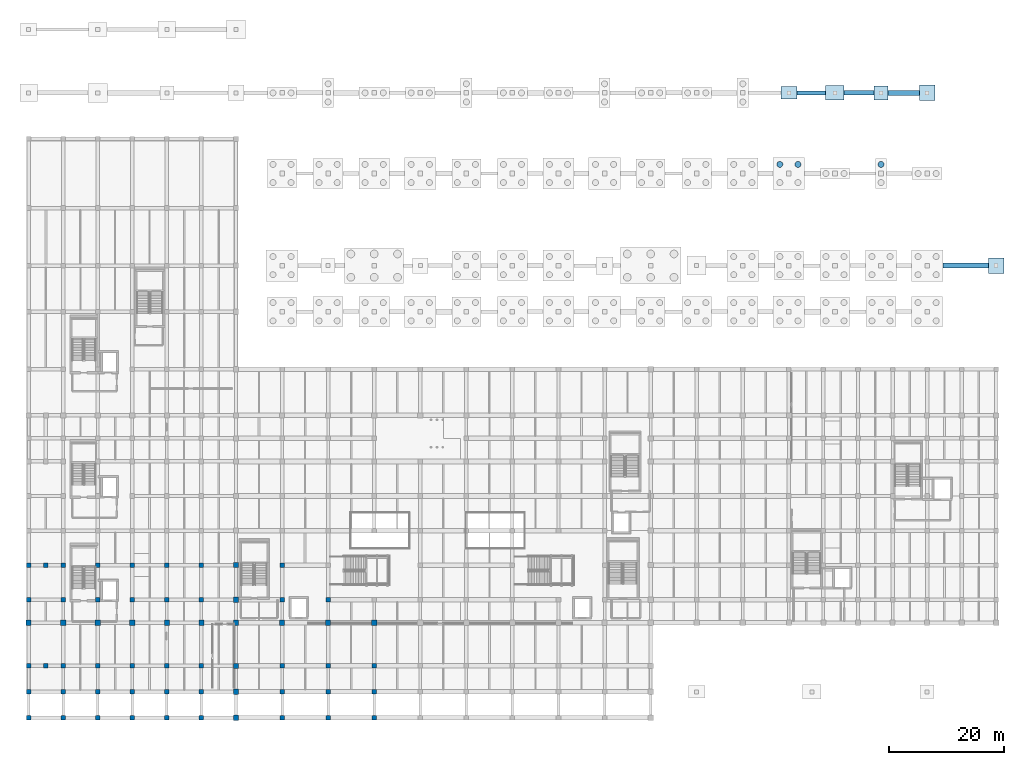
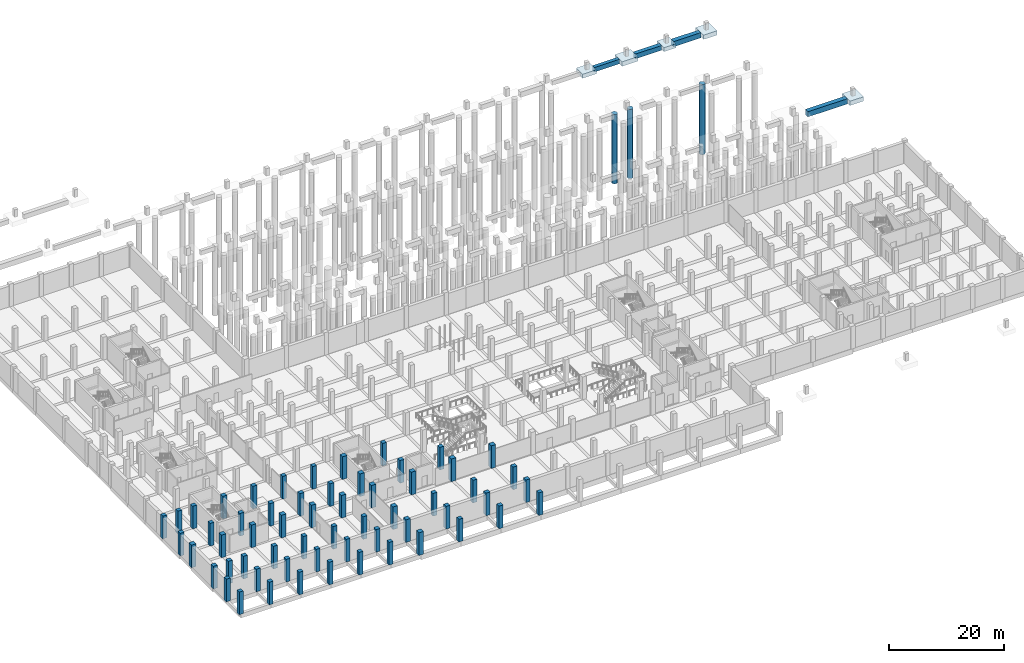
# One storey, part 4 of 36: 59 columns, 9 footings, 3 piles.
"""IFC4 building model written with IfcOpenShell, lengths in metres."""

import ifcopenshell
import ifcopenshell.guid

model = None  # the IFC model being written
_history = None  # IfcOwnerHistory: only IFC2X3 demands one
_inside = {}  # id of a spatial element -> (the spatial element, [elements in it])
_under = {}  # id of a project, library or spatial element -> (it, [spatial elements below it])
_declared = {}  # id of a project -> (the project, [libraries it declares])
_typed = {}  # id of a type object -> (the type object, [elements of that type])
_made_of = {}  # id of a material, layer set ... -> (it, [elements and type objects made of it])


def new_model(schema):
    """Start an empty IFC model of exactly this schema.

    Asked for "IFC4X3", IfcOpenShell would pick the latest addendum, in which some entities
    have other attributes; the version numbers below select the first issue.
    IFC2X3 requires an IfcOwnerHistory on every rooted entity: one is made here for all.
    """
    global model, _history
    if schema == "IFC4X3":
        model = ifcopenshell.file(schema_version=(4, 3, 0, 0))
    else:
        model = ifcopenshell.file(schema=schema)
    _inside.clear()
    _under.clear()
    _declared.clear()
    _typed.clear()
    _made_of.clear()
    _history = None
    if model.schema == "IFC2X3":
        org = make("IfcOrganization", Name="unknown")
        user = make(
            "IfcPersonAndOrganization",
            ThePerson=make("IfcPerson", FamilyName="unknown"),
            TheOrganization=org,
        )
        app = make(
            "IfcApplication",
            ApplicationDeveloper=org,
            Version="unknown",
            ApplicationFullName="unknown",
            ApplicationIdentifier="unknown",
        )
        _history = make(
            "IfcOwnerHistory",
            OwningUser=user,
            OwningApplication=app,
            ChangeAction="ADDED",
            CreationDate=0,
        )
    return model


def make(cls, **values):
    """One entity of the class cls with the attributes given. An attribute that is None is left unset."""
    return model.create_entity(
        cls, **{name: value for name, value in values.items() if value is not None}
    )


def rooted(cls, **values):
    """An entity with a GlobalId (a new one), such as an element, a storey or a relation."""
    return make(cls, GlobalId=ifcopenshell.guid.new(), OwnerHistory=_history, **values)


def si_unit(unit_type, name, prefix=None):
    """IfcSIUnit, for example si_unit("LENGTHUNIT", "METRE", prefix="MILLI")."""
    return make("IfcSIUnit", UnitType=unit_type, Prefix=prefix, Name=name)


def assignment(units):
    """IfcUnitAssignment: the units of a project."""
    return None if units is None else make("IfcUnitAssignment", Units=units)


def point(xyz):
    """IfcCartesianPoint."""
    return None if xyz is None else make("IfcCartesianPoint", Coordinates=xyz)


def direction(xyz):
    """IfcDirection."""
    return None if xyz is None else make("IfcDirection", DirectionRatios=xyz)


def frame(location, z_axis=None, x_axis=None):
    """IfcAxis2Placement3D, a coordinate frame: its origin and axes. An axis left out is left unset."""
    return make(
        "IfcAxis2Placement3D",
        Location=point(location),
        Axis=direction(z_axis),
        RefDirection=direction(x_axis),
    )


def frame_2d(location, x_axis=None):
    """IfcAxis2Placement2D, a coordinate frame in the plane: its origin and x axis."""
    return make(
        "IfcAxis2Placement2D", Location=point(location), RefDirection=direction(x_axis)
    )


def origin():
    """The frame at (0, 0, 0) with its axes left unset."""
    return frame((0.0, 0.0, 0.0))


def origin_2d():
    """The frame at (0, 0) in the plane with its x axis left unset."""
    return frame_2d((0.0, 0.0))


def place(relative_to, where):
    """IfcLocalPlacement: puts the frame where relative to a parent placement (None: the world)."""
    return make(
        "IfcLocalPlacement", PlacementRelTo=relative_to, RelativePlacement=where
    )


def context(
    kind, dimensions, precision=None, world=None, true_north=None, identifier=None
):
    """IfcGeometricRepresentationContext, for example the 3D "Model" context."""
    return make(
        "IfcGeometricRepresentationContext",
        ContextIdentifier=identifier,
        ContextType=kind,
        CoordinateSpaceDimension=dimensions,
        Precision=precision,
        WorldCoordinateSystem=world,
        TrueNorth=true_north,
    )


def subcontext(parent, identifier, kind, view, scale=None):
    """IfcGeometricRepresentationSubContext, for example "Body" below "Model"."""
    return make(
        "IfcGeometricRepresentationSubContext",
        ContextIdentifier=identifier,
        ContextType=kind,
        ParentContext=parent,
        TargetScale=scale,
        TargetView=view,
    )


def project(units=None, contexts=None):
    """IfcProject with its units and contexts."""
    return rooted(
        "IfcProject",
        Name="project",
        RepresentationContexts=contexts,
        UnitsInContext=assignment(units),
    )


def spatial(cls, under=None, at=None, **own):
    """A site, building, storey or space (cls), placed at a placement, below another one or the project."""
    s = rooted(cls, ObjectPlacement=at, **own)
    if under is not None:
        _under.setdefault(under.id(), (under, []))[1].append(s)
    return s


def profile(cls, at=None, kind="AREA", **sizes):
    """A parametric profile (cls). Its sizes go by their IFC names, for example OverallWidth=200.0."""
    return make(cls, ProfileType=kind, Position=at, **sizes)


def rectangle(**sizes):
    """IfcRectangleProfileDef."""
    return profile("IfcRectangleProfileDef", **sizes)


def circle(**sizes):
    """IfcCircleProfileDef."""
    return profile("IfcCircleProfileDef", **sizes)


def extrude(swept, where, along, depth):
    """IfcExtrudedAreaSolid: the profile swept, set in the frame where, extruded along a direction by depth."""
    return make(
        "IfcExtrudedAreaSolid",
        SweptArea=swept,
        Position=where,
        ExtrudedDirection=direction(along),
        Depth=depth,
    )


def shape(context_of_items, identifier, shape_type, items):
    """IfcShapeRepresentation: the items that make up one representation, for example the "Body"."""
    return make(
        "IfcShapeRepresentation",
        ContextOfItems=context_of_items,
        RepresentationIdentifier=identifier,
        RepresentationType=shape_type,
        Items=items,
    )


def material(Name=None, Category=None):
    """IfcMaterial."""
    return make("IfcMaterial", Name=Name, Category=Category)


def material_profile(
    of_material, cross_section, Name=None, Category=None, Priority=None
):
    """IfcMaterialProfile: a cross section and its material."""
    return make(
        "IfcMaterialProfile",
        Name=Name,
        Material=of_material,
        Profile=cross_section,
        Priority=Priority,
        Category=Category,
    )


def profile_set(profiles, Name=None, composite=None):
    """IfcMaterialProfileSet."""
    return make(
        "IfcMaterialProfileSet",
        Name=Name,
        MaterialProfiles=profiles,
        CompositeProfile=composite,
    )


def made_of(thing, what):
    """Note that an element or type object is made of a material, layer set ...; save() writes the relation."""
    if what is not None:
        _made_of.setdefault(what.id(), (what, []))[1].append(thing)
    return thing


def type_object(cls, material=None, **own):
    """A type object (cls), such as IfcWallType, which elements share."""
    return made_of(rooted(cls, **own), material)


def element(
    cls,
    number,
    at=None,
    inside=None,
    cuts=None,
    type_object=None,
    material=None,
    context=None,
    identifier="Body",
    shape_type=None,
    held_by="IfcProductDefinitionShape",
    body=None,
    shapes=None,
    **own,
):
    """One element of the class cls, such as IfcWall. Its Tag is "e" and its number.

    at: its placement. inside: the storey or other place that contains it. cuts: it is an
    opening in that element (IfcRelVoidsElement). A single representation is given by context,
    identifier, shape_type and body (its items); several are given by shapes. held_by: the class
    of the entity that holds the representations. save() writes the other relations.
    """
    e = rooted(cls, Tag="e%d" % number, ObjectPlacement=at, **own)
    if body is not None:
        shapes = [shape(context, identifier, shape_type, body)]
    if shapes is not None:
        e.Representation = make(held_by, Representations=shapes)
    if inside is not None:
        _inside.setdefault(inside.id(), (inside, []))[1].append(e)
    if cuts is not None:
        rooted(
            "IfcRelVoidsElement", RelatingBuildingElement=cuts, RelatedOpeningElement=e
        )
    if type_object is not None:
        _typed.setdefault(type_object.id(), (type_object, []))[1].append(e)
    return made_of(e, material)


def aggregate(whole, parts):
    """IfcRelAggregates: a whole, such as a stair, and the parts it consists of."""
    return rooted("IfcRelAggregates", RelatingObject=whole, RelatedObjects=parts)


def save(model, path):
    """Write the relations noted so far, then the file.

    IfcRelAggregates (storeys below a building ...), IfcRelContainedInSpatialStructure (elements
    in a storey), IfcRelDefinesByType, IfcRelAssociatesMaterial and IfcRelDeclares: one each for
    every whole, place, type object, material and project.
    """
    for whole, parts in _under.values():
        aggregate(whole, parts)
    for where, things in _inside.values():
        rooted(
            "IfcRelContainedInSpatialStructure",
            RelatedElements=things,
            RelatingStructure=where,
        )
    for kind, things in _typed.values():
        rooted("IfcRelDefinesByType", RelatedObjects=things, RelatingType=kind)
    for what, things in _made_of.values():
        rooted("IfcRelAssociatesMaterial", RelatedObjects=things, RelatingMaterial=what)
    for by, libraries in _declared.values():
        rooted("IfcRelDeclares", RelatingContext=by, RelatedDefinitions=libraries)
    model.write(path)


model = new_model("IFC4")

# Units and contexts
model_context = context("Model", 3, precision=1e-05, world=origin(), true_north=direction((0.0, 1.0)))
body_context = subcontext(model_context, "Body", "Model", "MODEL_VIEW")
ifc_project = project(units=[si_unit("LENGTHUNIT", "METRE"), si_unit("AREAUNIT", "SQUARE_METRE"), si_unit("VOLUMEUNIT", "CUBIC_METRE"), si_unit("PLANEANGLEUNIT", "RADIAN"), si_unit("MASSUNIT", "GRAM", prefix="KILO")], contexts=[model_context])

# Site, building, storey
site_placement = place(None, origin())
site = spatial("IfcSite", under=ifc_project, at=site_placement, CompositionType="ELEMENT")
building_placement = place(site_placement, origin())
building = spatial("IfcBuilding", under=site, at=building_placement, Name="Verrall Gate Interchange", CompositionType="ELEMENT")
storey_placement = place(building_placement, frame((0.0, 0.0, -4.800048828125)))
storey = spatial("IfcBuildingStorey", under=building, at=storey_placement, Name="B1", CompositionType="ELEMENT", Elevation=-4.800048828125)

# Footings
ifc_material_1 = material(Name="Concrete CSA A23.1 35 MPa (Class S-2)", Category="concrete")
footing_type_1 = type_object("IfcFootingType", Name="PF-01 Pad Footing 2400x2400x850", PredefinedType="PAD_FOOTING", material=ifc_material_1)
footing_1_placement = place(storey_placement, frame((148.0, 104.0, 2.35009765625), z_axis=(0.0, 0.0, 1.0), x_axis=(1.0, 0.0, 0.0)))
element("IfcFooting", 1, at=footing_1_placement, inside=storey, type_object=footing_type_1, Name="Pad Footing FTG-PAD-07 (PF-01)", PredefinedType="PAD_FOOTING", context=body_context, shape_type="SweptSolid", body=[
    extrude(rectangle(XDim=2.39990234375, YDim=2.39990234375, at=origin_2d()), origin(), (0.0, 0.0, 1.0), 0.85009765625),
])
ifc_material_2 = material(Name="Concrete CSA A23.1 35 MPa (Class S-2)", Category="concrete")
footing_type_2 = type_object("IfcFootingType", Name="PF-02 Pad Footing 2700x2700x900", PredefinedType="PAD_FOOTING", material=ifc_material_2)
for number, where, z_axis, x_axis, name in (
    (2, (156.0, 104.0, 2.300048828125), (0.0, 0.0, 1.0), (1.0, 0.0, 0.0), "Pad Footing FTG-PAD-08 (PF-02)"),
    (3, (168.0, 74.0, 2.300048828125), (0.0, 0.0, 1.0), (1.0, 0.0, 0.0), "Pad Footing FTG-PAD-20 (PF-02)"),
):
    element("IfcFooting", number, at=place(storey_placement, frame(where, z_axis=z_axis, x_axis=x_axis)), inside=storey, type_object=footing_type_2, Name=name, PredefinedType="PAD_FOOTING", context=body_context, shape_type="SweptSolid", body=[
        extrude(rectangle(XDim=2.699951171875, YDim=2.699951171875, at=origin_2d()), origin(), (0.0, 0.0, 1.0), 0.89990234375),
    ])
ifc_material_3 = material(Name="Concrete CSA A23.1 35 MPa (Class S-2)", Category="concrete")
footing_type_3 = type_object("IfcFootingType", Name="PF-05 Pad Footing 2800x2200x850", PredefinedType="PAD_FOOTING", material=ifc_material_3)
footing_2_placement = place(storey_placement, frame((132.0, 104.0, 2.35009765625), z_axis=(0.0, 0.0, 1.0), x_axis=(1.0, 0.0, 0.0)))
element("IfcFooting", 4, at=footing_2_placement, inside=storey, type_object=footing_type_3, Name="Pad Footing FTG-PAD-05 (PF-05)", PredefinedType="PAD_FOOTING", context=body_context, shape_type="SweptSolid", body=[
    extrude(rectangle(XDim=2.800048828125, YDim=2.199951171875, at=origin_2d()), origin(), (0.0, 0.0, 1.0), 0.85009765625),
])
ifc_material_4 = material(Name="Concrete CSA A23.1 35 MPa (Class S-2)", Category="concrete")
footing_type_4 = type_object("IfcFootingType", Name="PF-06 Pad Footing 3200x2500x950", PredefinedType="PAD_FOOTING", material=ifc_material_4)
footing_3_placement = place(storey_placement, frame((140.0, 104.0, 2.25), z_axis=(0.0, 0.0, 1.0), x_axis=(1.0, 0.0, 0.0)))
element("IfcFooting", 5, at=footing_3_placement, inside=storey, type_object=footing_type_4, Name="Pad Footing FTG-PAD-06 (PF-06)", PredefinedType="PAD_FOOTING", context=body_context, shape_type="SweptSolid", body=[
    extrude(rectangle(XDim=3.199951171875, YDim=2.5, at=origin_2d()), origin(), (0.0, 0.0, 1.0), 0.949951171875),
])

# Piles
ifc_material_5 = material(Name="Concrete CSA A23.1 35 MPa (Class S-2)", Category="concrete")
ifc_material_profile_1 = material_profile(ifc_material_5, circle(Radius=0.52490234375, at=origin_2d()), Name="PILE1050D")
ifc_profile_set_1 = profile_set([ifc_material_profile_1], Name="Concrete CSA A23.1 35 MPa (Class S-2)")
pile_type = type_object("IfcPileType", Name="PT-02 Bored Pile 1050", PredefinedType="BORED", material=ifc_profile_set_1)
for number, where, z_axis, x_axis, name in (
    (6, (130.425048828125, 91.574951171875, 1.949951171875), (0.0, 0.0, -1.0), (1.0, 0.0, 0.0), "Bored Rock-Socketed Pile P-418 (PT-02)"),
    (7, (133.574951171875, 91.574951171875, 1.949951171875), (0.0, 0.0, -1.0), (1.0, 0.0, 0.0), "Bored Rock-Socketed Pile P-420 (PT-02)"),
):
    element("IfcPile", number, at=place(storey_placement, frame(where, z_axis=z_axis, x_axis=x_axis)), inside=storey, type_object=pile_type, Name=name, PredefinedType="BORED", context=body_context, shape_type="SweptSolid", body=[
        extrude(circle(Radius=0.52490234375, at=origin_2d()), origin(), (0.0, 0.0, 1.0), 14.64990234375),
    ])
pile_placement = place(storey_placement, frame((148.0, 91.574951171875, 2.130126953125), z_axis=(0.0, 0.0, -1.0), x_axis=(1.0, 0.0, 0.0)))
element("IfcPile", 8, at=pile_placement, inside=storey, type_object=pile_type, Name="Bored Rock-Socketed Pile P-424 (PT-02)", PredefinedType="BORED", context=body_context, shape_type="SweptSolid", body=[
    extrude(circle(Radius=0.52490234375, at=origin_2d()), origin(), (0.0, 0.0, 1.0), 14.830078125),
])

# Footings
ifc_material_6 = material(Name="Concrete CSA A23.1 35 MPa (Class S-2)", Category="concrete")
footing_type_5 = type_object("IfcFootingType", Name="SF-02 Strip Footing 700x950", PredefinedType="STRIP_FOOTING", material=ifc_material_6)
footing_4_placement = place(storey_placement, frame((135.89990234375, 104.0, 2.25), z_axis=(0.0, 0.0, 1.0), x_axis=(1.0, 0.0, 0.0)))
element("IfcFooting", 9, at=footing_4_placement, inside=storey, type_object=footing_type_5, Name="Grade Strip Footing FTG-SF-58", PredefinedType="STRIP_FOOTING", context=body_context, shape_type="SweptSolid", body=[
    extrude(rectangle(XDim=5.0, YDim=0.699951171875, at=origin_2d()), origin(), (0.0, 0.0, 1.0), 0.949951171875),
])
ifc_material_7 = material(Name="Concrete CSA A23.1 35 MPa (Class S-2)", Category="concrete")
footing_type_6 = type_object("IfcFootingType", Name="SF-03 Strip Footing 800x1000", PredefinedType="STRIP_FOOTING", material=ifc_material_7)
footing_5_placement = place(storey_placement, frame((144.199951171875, 104.0, 2.199951171875), z_axis=(0.0, 0.0, 1.0), x_axis=(1.0, 0.0, 0.0)))
element("IfcFooting", 10, at=footing_5_placement, inside=storey, type_object=footing_type_6, Name="Grade Strip Footing FTG-SF-59", PredefinedType="STRIP_FOOTING", context=body_context, shape_type="SweptSolid", body=[
    extrude(rectangle(XDim=5.199951171875, YDim=0.800048828125, at=origin_2d()), origin(), (0.0, 0.0, 1.0), 1.0),
])
ifc_material_8 = material(Name="Concrete CSA A23.1 35 MPa (Class S-2)", Category="concrete")
footing_type_7 = type_object("IfcFootingType", Name="SF-04 Strip Footing 900x1100", PredefinedType="STRIP_FOOTING", material=ifc_material_8)
footing_6_placement = place(storey_placement, frame((162.699951171875, 74.0, 2.10009765625), z_axis=(0.0, 0.0, 1.0), x_axis=(1.0, 0.0, 0.0)))
element("IfcFooting", 11, at=footing_6_placement, inside=storey, type_object=footing_type_7, Name="Grade Strip Footing FTG-SF-28", PredefinedType="STRIP_FOOTING", context=body_context, shape_type="SweptSolid", body=[
    extrude(rectangle(XDim=7.89990234375, YDim=0.89990234375, at=origin_2d()), origin(), (0.0, 0.0, 1.0), 1.10009765625),
])
footing_7_placement = place(storey_placement, frame((151.925048828125, 104.0, 2.10009765625), z_axis=(0.0, 0.0, 1.0), x_axis=(1.0, 0.0, 0.0)))
element("IfcFooting", 12, at=footing_7_placement, inside=storey, type_object=footing_type_7, Name="Grade Strip Footing FTG-SF-60", PredefinedType="STRIP_FOOTING", context=body_context, shape_type="SweptSolid", body=[
    extrude(rectangle(XDim=5.449951171875, YDim=0.89990234375, at=origin_2d()), origin(), (0.0, 0.0, 1.0), 1.10009765625),
])

# Columns
ifc_material_9 = material(Name="Concrete CSA A23.1 40 MPa (Class N)", Category="concrete")
ifc_material_profile_2 = material_profile(ifc_material_9, rectangle(XDim=0.89990234375, YDim=0.89990234375, at=origin_2d()), Name="RC900x900")
ifc_profile_set_2 = profile_set([ifc_material_profile_2], Name="Concrete CSA A23.1 40 MPa (Class N)")
column_type_1 = type_object("IfcColumnType", Name="C-01 Column RC900x900", PredefinedType="COLUMN", material=ifc_profile_set_2)
for number, where, z_axis, x_axis, name in (
    (13, (0.0, 12.0, 0.0), (0.0, 0.0, 1.0), (1.0, 0.0, 0.0), "B1 Column COL-B1-0017 (C-01)"),
    (14, (6.0, 12.0, 0.0), (0.0, 0.0, 1.0), (1.0, 0.0, 0.0), "B1 Column COL-B1-0146 (C-01)"),
    (15, (12.0, 12.0, 0.0), (0.0, 0.0, 1.0), (1.0, 0.0, 0.0), "B1 Column COL-B1-0263 (C-01)"),
    (16, (18.0, 12.0, 0.0), (0.0, 0.0, 1.0), (1.0, 0.0, 0.0), "B1 Column COL-B1-0380 (C-01)"),
    (17, (24.0, 12.0, 0.0), (0.0, 0.0, 1.0), (1.0, 0.0, 0.0), "B1 Column COL-B1-0497 (C-01)"),
    (18, (30.0, 12.0, 0.0), (0.0, 0.0, 1.0), (1.0, 0.0, 0.0), "B1 Column COL-B1-0614 (C-01)"),
    (19, (36.0, -4.5, 0.0), (0.0, 0.0, 1.0), (1.0, 0.0, 0.0), "B1 Column COL-B1-0715 (C-01)"),
    (20, (36.0, 0.0, 0.0), (0.0, 0.0, 1.0), (1.0, 0.0, 0.0), "B1 Column COL-B1-0717 (C-01)"),
    (21, (36.0, 4.5, 0.0), (0.0, 0.0, 1.0), (1.0, 0.0, 0.0), "B1 Column COL-B1-0723 (C-01)"),
    (22, (36.0, 12.0, 0.0), (0.0, 0.0, 1.0), (1.0, 0.0, 0.0), "B1 Column COL-B1-0731 (C-01)"),
    (23, (36.0, 16.0, 0.0), (0.0, 0.0, 1.0), (1.0, 0.0, 0.0), "B1 Column COL-B1-0739 (C-01)"),
    (24, (36.0, 22.0, 0.0), (0.0, 0.0, 1.0), (1.0, 0.0, 0.0), "B1 Column COL-B1-0747 (C-01)"),
    (25, (44.0, 12.0, 0.0), (0.0, 0.0, 1.0), (1.0, 0.0, 0.0), "B1 Column COL-B1-0835 (C-01)"),
    (26, (52.0, 12.0, 0.0), (0.0, 0.0, 1.0), (1.0, 0.0, 0.0), "B1 Column COL-B1-0873 (C-01)"),
    (27, (60.0, 12.0, 0.0), (0.0, 0.0, 1.0), (1.0, 0.0, 0.0), "B1 Column COL-B1-0911 (C-01)"),
):
    element("IfcColumn", number, at=place(storey_placement, frame(where, z_axis=z_axis, x_axis=x_axis)), inside=storey, type_object=column_type_1, Name=name, PredefinedType="COLUMN", context=body_context, shape_type="SweptSolid", body=[
        extrude(rectangle(XDim=0.89990234375, YDim=0.89990234375, at=origin_2d()), origin(), (0.0, 0.0, 1.0), 4.800048828125),
    ])
ifc_material_10 = material(Name="Concrete CSA A23.1 40 MPa (Class N)", Category="concrete")
ifc_material_profile_3 = material_profile(ifc_material_10, rectangle(XDim=0.800048828125, YDim=0.800048828125, at=origin_2d()), Name="RC800x800")
ifc_profile_set_3 = profile_set([ifc_material_profile_3], Name="Concrete CSA A23.1 40 MPa (Class N)")
column_type_2 = type_object("IfcColumnType", Name="C-02 Column RC800x800", PredefinedType="COLUMN", material=ifc_profile_set_3)
for number, where, z_axis, x_axis, name in (
    (28, (0.0, -4.5, 0.0), (0.0, 0.0, 1.0), (1.0, 0.0, 0.0), "B1 Column COL-B1-0002 (C-02)"),
    (29, (0.0, 0.0, 0.0), (0.0, 0.0, 1.0), (1.0, 0.0, 0.0), "B1 Column COL-B1-0004 (C-02)"),
    (30, (0.0, 4.5, 0.0), (0.0, 0.0, 1.0), (1.0, 0.0, 0.0), "B1 Column COL-B1-0010 (C-02)"),
    (31, (0.0, 16.0, 0.0), (0.0, 0.0, 1.0), (1.0, 0.0, 0.0), "B1 Column COL-B1-0024 (C-02)"),
    (32, (0.0, 22.0, 0.0), (0.0, 0.0, 1.0), (1.0, 0.0, 0.0), "B1 Column COL-B1-0031 (C-02)"),
    (33, (3.0, 4.5, 0.0), (0.0, 0.0, 1.0), (1.0, 0.0, 0.0), "B1 Column COL-B1-0102 (C-02)"),
    (34, (3.0, 22.0, 0.0), (0.0, 0.0, 1.0), (1.0, 0.0, 0.0), "B1 Column COL-B1-0109 (C-02)"),
    (35, (6.0, -4.5, 0.0), (0.0, 0.0, 1.0), (1.0, 0.0, 0.0), "B1 Column COL-B1-0130 (C-02)"),
    (36, (6.0, 0.0, 0.0), (0.0, 0.0, 1.0), (1.0, 0.0, 0.0), "B1 Column COL-B1-0132 (C-02)"),
    (37, (6.0, 4.5, 0.0), (0.0, 0.0, 1.0), (1.0, 0.0, 0.0), "B1 Column COL-B1-0138 (C-02)"),
    (38, (6.0, 16.0, 0.0), (0.0, 0.0, 1.0), (1.0, 0.0, 0.0), "B1 Column COL-B1-0155 (C-02)"),
    (39, (6.0, 22.0, 0.0), (0.0, 0.0, 1.0), (1.0, 0.0, 0.0), "B1 Column COL-B1-0164 (C-02)"),
    (40, (12.0, -4.5, 0.0), (0.0, 0.0, 1.0), (1.0, 0.0, 0.0), "B1 Column COL-B1-0247 (C-02)"),
    (41, (12.0, 0.0, 0.0), (0.0, 0.0, 1.0), (1.0, 0.0, 0.0), "B1 Column COL-B1-0249 (C-02)"),
    (42, (12.0, 4.5, 0.0), (0.0, 0.0, 1.0), (1.0, 0.0, 0.0), "B1 Column COL-B1-0255 (C-02)"),
    (43, (12.0, 16.0, 0.0), (0.0, 0.0, 1.0), (1.0, 0.0, 0.0), "B1 Column COL-B1-0272 (C-02)"),
    (44, (12.0, 22.0, 0.0), (0.0, 0.0, 1.0), (1.0, 0.0, 0.0), "B1 Column COL-B1-0281 (C-02)"),
    (45, (18.0, -4.5, 0.0), (0.0, 0.0, 1.0), (1.0, 0.0, 0.0), "B1 Column COL-B1-0364 (C-02)"),
    (46, (18.0, 0.0, 0.0), (0.0, 0.0, 1.0), (1.0, 0.0, 0.0), "B1 Column COL-B1-0366 (C-02)"),
    (47, (18.0, 4.5, 0.0), (0.0, 0.0, 1.0), (1.0, 0.0, 0.0), "B1 Column COL-B1-0372 (C-02)"),
    (48, (18.0, 16.0, 0.0), (0.0, 0.0, 1.0), (1.0, 0.0, 0.0), "B1 Column COL-B1-0389 (C-02)"),
    (49, (18.0, 22.0, 0.0), (0.0, 0.0, 1.0), (1.0, 0.0, 0.0), "B1 Column COL-B1-0398 (C-02)"),
    (50, (24.0, -4.5, 0.0), (0.0, 0.0, 1.0), (1.0, 0.0, 0.0), "B1 Column COL-B1-0481 (C-02)"),
    (51, (24.0, 0.0, 0.0), (0.0, 0.0, 1.0), (1.0, 0.0, 0.0), "B1 Column COL-B1-0483 (C-02)"),
    (52, (24.0, 4.5, 0.0), (0.0, 0.0, 1.0), (1.0, 0.0, 0.0), "B1 Column COL-B1-0489 (C-02)"),
    (53, (24.0, 16.0, 0.0), (0.0, 0.0, 1.0), (1.0, 0.0, 0.0), "B1 Column COL-B1-0506 (C-02)"),
    (54, (24.0, 22.0, 0.0), (0.0, 0.0, 1.0), (1.0, 0.0, 0.0), "B1 Column COL-B1-0515 (C-02)"),
    (55, (30.0, -4.5, 0.0), (0.0, 0.0, 1.0), (1.0, 0.0, 0.0), "B1 Column COL-B1-0598 (C-02)"),
    (56, (30.0, 0.0, 0.0), (0.0, 0.0, 1.0), (1.0, 0.0, 0.0), "B1 Column COL-B1-0600 (C-02)"),
    (57, (30.0, 4.5, 0.0), (0.0, 0.0, 1.0), (1.0, 0.0, 0.0), "B1 Column COL-B1-0606 (C-02)"),
    (58, (30.0, 16.0, 0.0), (0.0, 0.0, 1.0), (1.0, 0.0, 0.0), "B1 Column COL-B1-0623 (C-02)"),
    (59, (30.0, 22.0, 0.0), (0.0, 0.0, 1.0), (1.0, 0.0, 0.0), "B1 Column COL-B1-0632 (C-02)"),
    (60, (44.0, -4.5, 0.0), (0.0, 0.0, 1.0), (1.0, 0.0, 0.0), "B1 Column COL-B1-0825 (C-02)"),
    (61, (44.0, 0.0, 0.0), (0.0, 0.0, 1.0), (1.0, 0.0, 0.0), "B1 Column COL-B1-0827 (C-02)"),
    (62, (44.0, 4.5, 0.0), (0.0, 0.0, 1.0), (1.0, 0.0, 0.0), "B1 Column COL-B1-0831 (C-02)"),
    (63, (44.0, 16.0, 0.0), (0.0, 0.0, 1.0), (1.0, 0.0, 0.0), "B1 Column COL-B1-0839 (C-02)"),
    (64, (44.0, 22.0, 0.0), (0.0, 0.0, 1.0), (1.0, 0.0, 0.0), "B1 Column COL-B1-0843 (C-02)"),
    (65, (52.0, -4.5, 0.0), (0.0, 0.0, 1.0), (1.0, 0.0, 0.0), "B1 Column COL-B1-0863 (C-02)"),
    (66, (52.0, 0.0, 0.0), (0.0, 0.0, 1.0), (1.0, 0.0, 0.0), "B1 Column COL-B1-0865 (C-02)"),
    (67, (52.0, 4.5, 0.0), (0.0, 0.0, 1.0), (1.0, 0.0, 0.0), "B1 Column COL-B1-0869 (C-02)"),
    (68, (52.0, 16.0, 0.0), (0.0, 0.0, 1.0), (1.0, 0.0, 0.0), "B1 Column COL-B1-0877 (C-02)"),
    (69, (60.0, -4.5, 0.0), (0.0, 0.0, 1.0), (1.0, 0.0, 0.0), "B1 Column COL-B1-0901 (C-02)"),
    (70, (60.0, 0.0, 0.0), (0.0, 0.0, 1.0), (1.0, 0.0, 0.0), "B1 Column COL-B1-0903 (C-02)"),
    (71, (60.0, 4.5, 0.0), (0.0, 0.0, 1.0), (1.0, 0.0, 0.0), "B1 Column COL-B1-0907 (C-02)"),
):
    element("IfcColumn", number, at=place(storey_placement, frame(where, z_axis=z_axis, x_axis=x_axis)), inside=storey, type_object=column_type_2, Name=name, PredefinedType="COLUMN", context=body_context, shape_type="SweptSolid", body=[
        extrude(rectangle(XDim=0.800048828125, YDim=0.800048828125, at=origin_2d()), origin(), (0.0, 0.0, 1.0), 4.800048828125),
    ])

save(model, "model.ifc")
